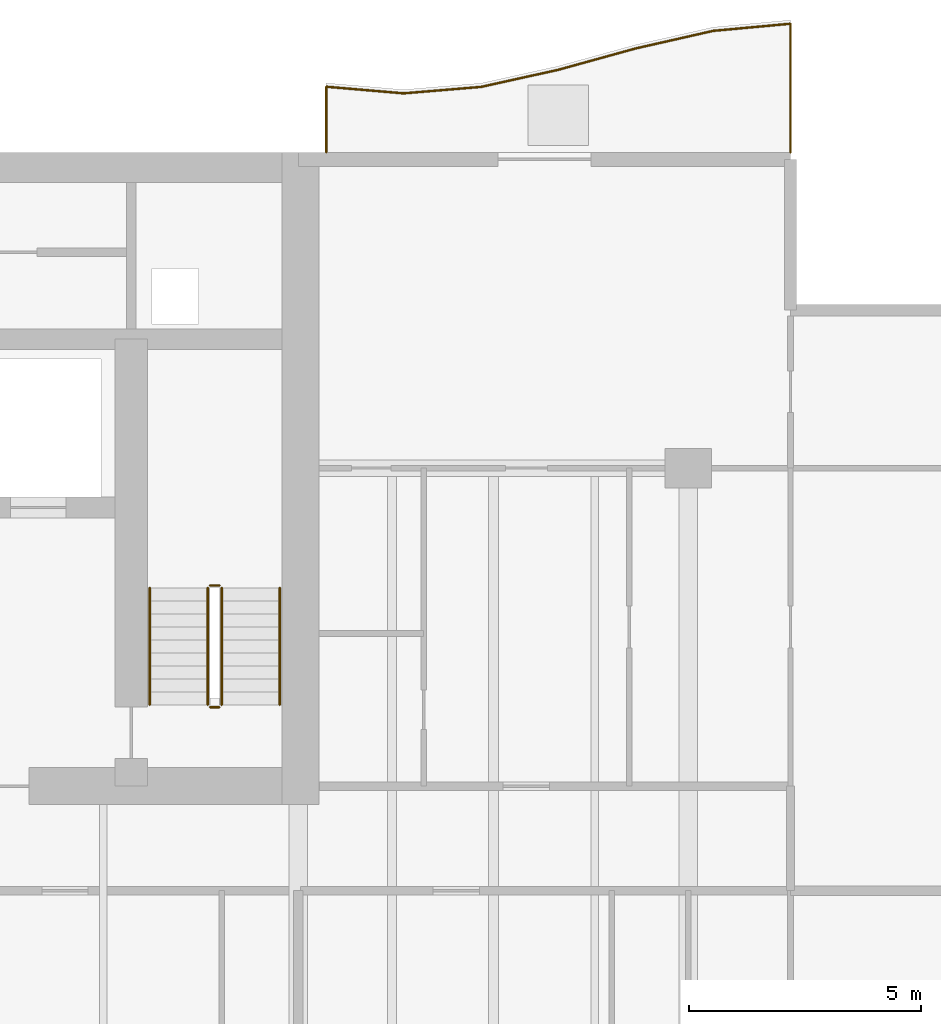
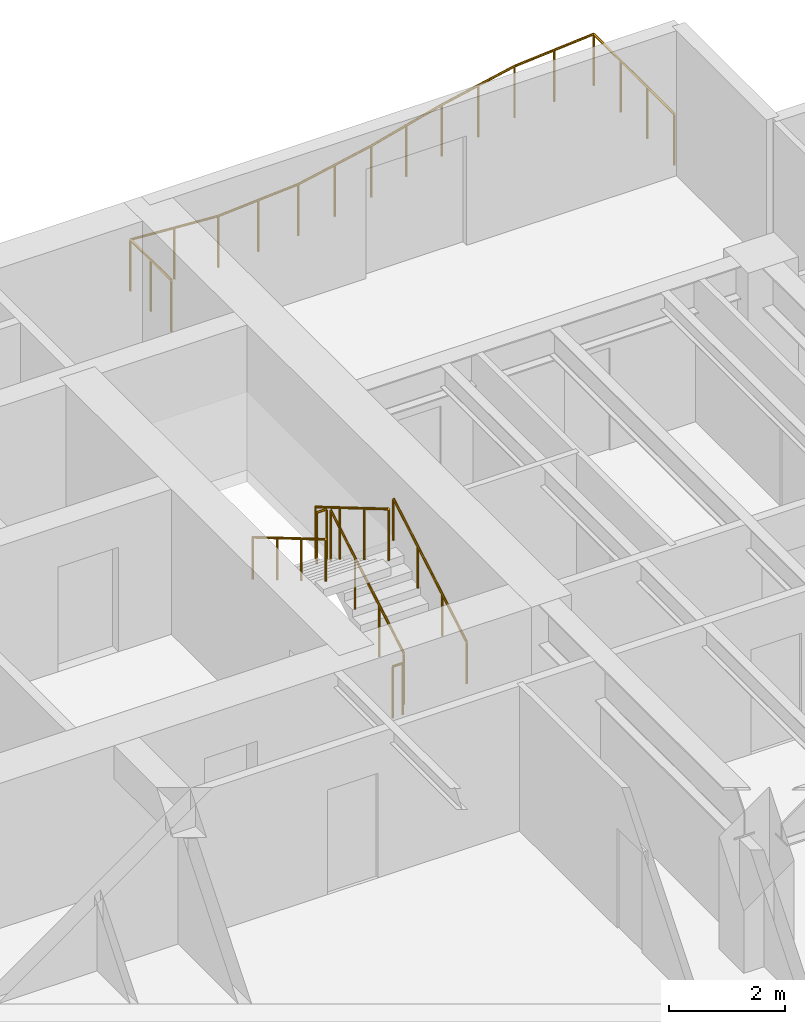
# One storey, part 17 of 18: 7 railings.
"""IFC4 building model written with IfcOpenShell, lengths in metres."""

from ifc_helpers import new_model, si_unit, direction, frame, origin, origin_2d, place, context, subcontext, project, spatial, circle, extrude, material, type_object, element, save


model = new_model("IFC4")

# Units and contexts
model_context = context("Model", 3, precision=1e-05, world=origin(), true_north=direction((0.0, 1.0)))
body_context = subcontext(model_context, "Body", "Model", "MODEL_VIEW")
ifc_project = project(units=[si_unit("LENGTHUNIT", "METRE"), si_unit("AREAUNIT", "SQUARE_METRE"), si_unit("VOLUMEUNIT", "CUBIC_METRE"), si_unit("PLANEANGLEUNIT", "RADIAN"), si_unit("MASSUNIT", "GRAM", prefix="KILO")], contexts=[model_context])

# Site, building, storey
site_placement = place(None, origin())
site = spatial("IfcSite", under=ifc_project, at=site_placement, CompositionType="ELEMENT")
building_placement = place(site_placement, origin())
building = spatial("IfcBuilding", under=site, at=building_placement, Name="Caelmar Bay Residences", CompositionType="ELEMENT")
storey_placement = place(building_placement, frame((0.0, 0.0, 122.39990234375)))
storey = spatial("IfcBuildingStorey", under=building, at=storey_placement, Name="L33", CompositionType="ELEMENT", Elevation=122.39990234375)

# Railings
ifc_material_1 = material(Name="Anodised bronze handrail with laminated hurricane glass infill", Category="glass")
railing_type_1 = type_object("IfcRailingType", Name="RL-BAL-1100", PredefinedType="BALUSTRADE", material=ifc_material_1)
railing_1_placement = place(storey_placement, frame((70.10009765625, 50.60009765625, 0.0)))
element("IfcRailing", 1, at=railing_1_placement, inside=storey, type_object=railing_type_1, Name="L33 north_east Balcony Balustrade", PredefinedType="BALUSTRADE", context=body_context, shape_type="SweptSolid", body=[
    extrude(circle(Radius=0.02392578125, at=origin_2d()), frame((0.0, 0.0, 1.076171875), z_axis=(0.0, 1.0, 0.0), x_axis=(-1.0, 0.0, 0.0)), (0.0, 0.0, 1.0), 2.76953125),
    extrude(circle(Radius=0.02392578125, at=origin_2d()), frame((0.0, 2.76953125, 1.076171875), z_axis=(-0.995755786783, -0.092034847145, 0.0), x_axis=(0.092034847145, -0.995755786783, 0.0)), (0.0, 0.0, 1.0), 1.673828125),
    extrude(circle(Radius=0.02392578125, at=origin_2d()), frame((-1.666748046875, 2.615478515625, 1.076171875), z_axis=(-0.975212775078, -0.221269164874, 0.0), x_axis=(0.221269164874, -0.975212775078, 0.0)), (0.0, 0.0, 1.0), 1.709228515625),
    extrude(circle(Radius=0.02392578125, at=origin_2d()), frame((-3.33349609375, 2.2373046875, 1.076171875), z_axis=(-0.963993866583, -0.265924472718, 0.0), x_axis=(0.265924472718, -0.963993866583, 0.0)), (0.0, 0.0, 1.0), 1.728759765625),
    extrude(circle(Radius=0.02392578125, at=origin_2d()), frame((-5.0, 1.777587890625, 1.076171875), z_axis=(-0.97637178472, -0.216097519659, 0.0), x_axis=(0.216097519659, -0.97637178472, 0.0)), (0.0, 0.0, 1.0), 1.70703125),
    extrude(circle(Radius=0.02392578125, at=origin_2d()), frame((-6.666748046875, 1.40869140625, 1.076171875), z_axis=(-0.996556823189, -0.082912593463, 0.0), x_axis=(0.082912593463, -0.996556823189, 0.0)), (0.0, 0.0, 1.0), 1.672607421875),
    extrude(circle(Radius=0.02392578125, at=origin_2d()), frame((-8.33349609375, 1.27001953125, 1.076171875), z_axis=(-0.996335285021, 0.085533618081, 0.0), x_axis=(-0.085533618081, -0.996335285021, 0.0)), (0.0, 0.0, 1.0), 1.672607421875),
    extrude(circle(Radius=0.02392578125, at=origin_2d()), frame((-10.0, 1.4130859375, 1.076171875), z_axis=(0.0, -1.0, 0.0), x_axis=(1.0, 0.0, 0.0)), (0.0, 0.0, 1.0), 1.4130859375),
    extrude(circle(Radius=0.02099609375, at=origin_2d()), origin(), (0.0, 0.0, 1.0), 1.052001953125),
    extrude(circle(Radius=0.02099609375, at=origin_2d()), frame((0.0, 0.923095703125, 0.0)), (0.0, 0.0, 1.0), 1.052001953125),
    extrude(circle(Radius=0.02099609375, at=origin_2d()), frame((0.0, 1.846435546875, 0.0)), (0.0, 0.0, 1.0), 1.052001953125),
    extrude(circle(Radius=0.02099609375, at=origin_2d()), frame((0.0, 2.76953125, 0.0)), (0.0, 0.0, 1.0), 1.052001953125),
    extrude(circle(Radius=0.02099609375, at=origin_2d()), frame((-0.83349609375, 2.6923828125, 0.0)), (0.0, 0.0, 1.0), 1.052001953125),
    extrude(circle(Radius=0.02099609375, at=origin_2d()), frame((-1.666748046875, 2.615478515625, 0.0)), (0.0, 0.0, 1.0), 1.052001953125),
    extrude(circle(Radius=0.02099609375, at=origin_2d()), frame((-2.5, 2.42626953125, 0.0)), (0.0, 0.0, 1.0), 1.052001953125),
    extrude(circle(Radius=0.02099609375, at=origin_2d()), frame((-3.33349609375, 2.2373046875, 0.0)), (0.0, 0.0, 1.0), 1.052001953125),
    extrude(circle(Radius=0.02099609375, at=origin_2d()), frame((-4.166748046875, 2.00732421875, 0.0)), (0.0, 0.0, 1.0), 1.052001953125),
    extrude(circle(Radius=0.02099609375, at=origin_2d()), frame((-5.0, 1.777587890625, 0.0)), (0.0, 0.0, 1.0), 1.052001953125),
    extrude(circle(Radius=0.02099609375, at=origin_2d()), frame((-5.83349609375, 1.59326171875, 0.0)), (0.0, 0.0, 1.0), 1.052001953125),
    extrude(circle(Radius=0.02099609375, at=origin_2d()), frame((-6.666748046875, 1.40869140625, 0.0)), (0.0, 0.0, 1.0), 1.052001953125),
    extrude(circle(Radius=0.02099609375, at=origin_2d()), frame((-7.5, 1.33935546875, 0.0)), (0.0, 0.0, 1.0), 1.052001953125),
    extrude(circle(Radius=0.02099609375, at=origin_2d()), frame((-8.33349609375, 1.27001953125, 0.0)), (0.0, 0.0, 1.0), 1.052001953125),
    extrude(circle(Radius=0.02099609375, at=origin_2d()), frame((-9.166748046875, 1.341552734375, 0.0)), (0.0, 0.0, 1.0), 1.052001953125),
    extrude(circle(Radius=0.02099609375, at=origin_2d()), frame((-10.0, 1.4130859375, 0.0)), (0.0, 0.0, 1.0), 1.052001953125),
    extrude(circle(Radius=0.02099609375, at=origin_2d()), frame((-10.0, 0.70654296875, 0.0)), (0.0, 0.0, 1.0), 1.052001953125),
    extrude(circle(Radius=0.02099609375, at=origin_2d()), frame((-10.0, 0.0, 0.0)), (0.0, 0.0, 1.0), 1.052001953125),
])
ifc_material_2 = material(Name="Painted galvanized steel stair guard 1100 mm", Category="steel")
railing_type_2 = type_object("IfcRailingType", Name="RL-GRD-1100", PredefinedType="GUARDRAIL", material=ifc_material_2)
railing_2_placement = place(storey_placement, frame((57.85009765625, 38.699951171875, 0.1650390625)))
element("IfcRailing", 2, at=railing_2_placement, inside=storey, type_object=railing_type_2, Name="L33 ST2 stair guard 1", PredefinedType="GUARDRAIL", context=body_context, shape_type="SweptSolid", body=[
    extrude(circle(Radius=0.02392578125, at=origin_2d()), frame((0.0, 0.0, 1.076171875), z_axis=(0.0, 0.86152411907, 0.507716645641), x_axis=(-1.0, 0.0, 0.0)), (0.0, 0.0, 1.0), 2.925048828125),
    extrude(circle(Radius=0.02099609375, at=origin_2d()), origin(), (0.0, 0.0, 1.0), 1.052001953125),
    extrude(circle(Radius=0.02099609375, at=origin_2d()), frame((0.0, 0.840087890625, 0.4951171875)), (0.0, 0.0, 1.0), 1.052001953125),
    extrude(circle(Radius=0.02099609375, at=origin_2d()), frame((0.0, 1.679931640625, 0.989990234375)), (0.0, 0.0, 1.0), 1.052001953125),
    extrude(circle(Radius=0.02099609375, at=origin_2d()), frame((0.0, 2.52001953125, 1.485107421875)), (0.0, 0.0, 1.0), 1.052001953125),
])
railing_3_placement = place(storey_placement, frame((57.800048828125, 41.27001953125, 1.650146484375)))
element("IfcRailing", 3, at=railing_3_placement, inside=storey, type_object=railing_type_2, Name="L33 ST2 stair guard 2", PredefinedType="GUARDRAIL", context=body_context, shape_type="SweptSolid", body=[
    extrude(circle(Radius=0.02392578125, at=origin_2d()), frame((0.0, 0.0, 1.076171875), z_axis=(-1.0, 0.0, 0.0), x_axis=(0.0, -1.0, 0.0)), (0.0, 0.0, 1.0), 0.199951171875),
    extrude(circle(Radius=0.02099609375, at=origin_2d()), origin(), (0.0, 0.0, 1.0), 1.052001953125),
    extrude(circle(Radius=0.02099609375, at=origin_2d()), frame((-0.199951171875, 0.0, 0.0)), (0.0, 0.0, 1.0), 1.052001953125),
])
railing_4_placement = place(storey_placement, frame((57.550048828125, 41.219970703125, 1.815185546875)))
element("IfcRailing", 4, at=railing_4_placement, inside=storey, type_object=railing_type_2, Name="L33 ST2 stair guard 3", PredefinedType="GUARDRAIL", context=body_context, shape_type="SweptSolid", body=[
    extrude(circle(Radius=0.02392578125, at=origin_2d()), frame((0.0, 0.0, 1.076171875), z_axis=(0.0, -0.861560626758, 0.507654692109), x_axis=(1.0, 0.0, 0.0)), (0.0, 0.0, 1.0), 2.925048828125),
    extrude(circle(Radius=0.02099609375, at=origin_2d()), origin(), (0.0, 0.0, 1.0), 1.052001953125),
    extrude(circle(Radius=0.02099609375, at=origin_2d()), frame((0.0, -0.840087890625, 0.494873046875)), (0.0, 0.0, 1.0), 1.052001953125),
    extrude(circle(Radius=0.02099609375, at=origin_2d()), frame((0.0, -1.679931640625, 0.989990234375)), (0.0, 0.0, 1.0), 1.052001953125),
    extrude(circle(Radius=0.02099609375, at=origin_2d()), frame((0.0, -2.52001953125, 1.48486328125)), (0.0, 0.0, 1.0), 1.052001953125),
])
railing_5_placement = place(storey_placement, frame((57.800048828125, 38.64990234375, 0.0)))
element("IfcRailing", 5, at=railing_5_placement, inside=storey, type_object=railing_type_2, Name="L33 ST2 stair guard 4", PredefinedType="GUARDRAIL", context=body_context, shape_type="SweptSolid", body=[
    extrude(circle(Radius=0.02392578125, at=origin_2d()), frame((0.0, 0.0, 1.076171875), z_axis=(-1.0, 0.0, 0.0), x_axis=(0.0, -1.0, 0.0)), (0.0, 0.0, 1.0), 0.199951171875),
    extrude(circle(Radius=0.02099609375, at=origin_2d()), origin(), (0.0, 0.0, 1.0), 1.052001953125),
    extrude(circle(Radius=0.02099609375, at=origin_2d()), frame((-0.199951171875, 0.0, 0.0)), (0.0, 0.0, 1.0), 1.052001953125),
])
ifc_material_3 = material(Name="Brushed bronze stainless-steel tubular handrail 900 mm", Category="steel")
railing_type_3 = type_object("IfcRailingType", Name="RL-HND-900", PredefinedType="HANDRAIL", material=ifc_material_3)
railing_6_placement = place(storey_placement, frame((59.10009765625, 38.699951171875, 0.1650390625)))
element("IfcRailing", 6, at=railing_6_placement, inside=storey, type_object=railing_type_3, Name="L33 ST2 stair handrail 1", PredefinedType="HANDRAIL", context=body_context, shape_type="SweptSolid", body=[
    extrude(circle(Radius=0.02392578125, at=origin_2d()), frame((0.0, 0.0, 0.8759765625), z_axis=(0.0, 0.86152411907, 0.507716645641), x_axis=(-1.0, 0.0, 0.0)), (0.0, 0.0, 1.0), 2.925048828125),
    extrude(circle(Radius=0.02099609375, at=origin_2d()), origin(), (0.0, 0.0, 1.0), 0.851806640625),
    extrude(circle(Radius=0.02099609375, at=origin_2d()), frame((0.0, 0.840087890625, 0.4951171875)), (0.0, 0.0, 1.0), 0.851806640625),
    extrude(circle(Radius=0.02099609375, at=origin_2d()), frame((0.0, 1.679931640625, 0.989990234375)), (0.0, 0.0, 1.0), 0.851806640625),
    extrude(circle(Radius=0.02099609375, at=origin_2d()), frame((0.0, 2.52001953125, 1.485107421875)), (0.0, 0.0, 1.0), 0.851806640625),
])
railing_7_placement = place(storey_placement, frame((56.300048828125, 41.219970703125, 1.815185546875)))
element("IfcRailing", 7, at=railing_7_placement, inside=storey, type_object=railing_type_3, Name="L33 ST2 stair handrail 2", PredefinedType="HANDRAIL", context=body_context, shape_type="SweptSolid", body=[
    extrude(circle(Radius=0.02392578125, at=origin_2d()), frame((0.0, 0.0, 0.8759765625), z_axis=(0.0, -0.861560626758, 0.507654692109), x_axis=(1.0, 0.0, 0.0)), (0.0, 0.0, 1.0), 2.925048828125),
    extrude(circle(Radius=0.02099609375, at=origin_2d()), origin(), (0.0, 0.0, 1.0), 0.851806640625),
    extrude(circle(Radius=0.02099609375, at=origin_2d()), frame((0.0, -0.840087890625, 0.494873046875)), (0.0, 0.0, 1.0), 0.851806640625),
    extrude(circle(Radius=0.02099609375, at=origin_2d()), frame((0.0, -1.679931640625, 0.989990234375)), (0.0, 0.0, 1.0), 0.851806640625),
    extrude(circle(Radius=0.02099609375, at=origin_2d()), frame((0.0, -2.52001953125, 1.48486328125)), (0.0, 0.0, 1.0), 0.851806640625),
])

save(model, "model.ifc")
